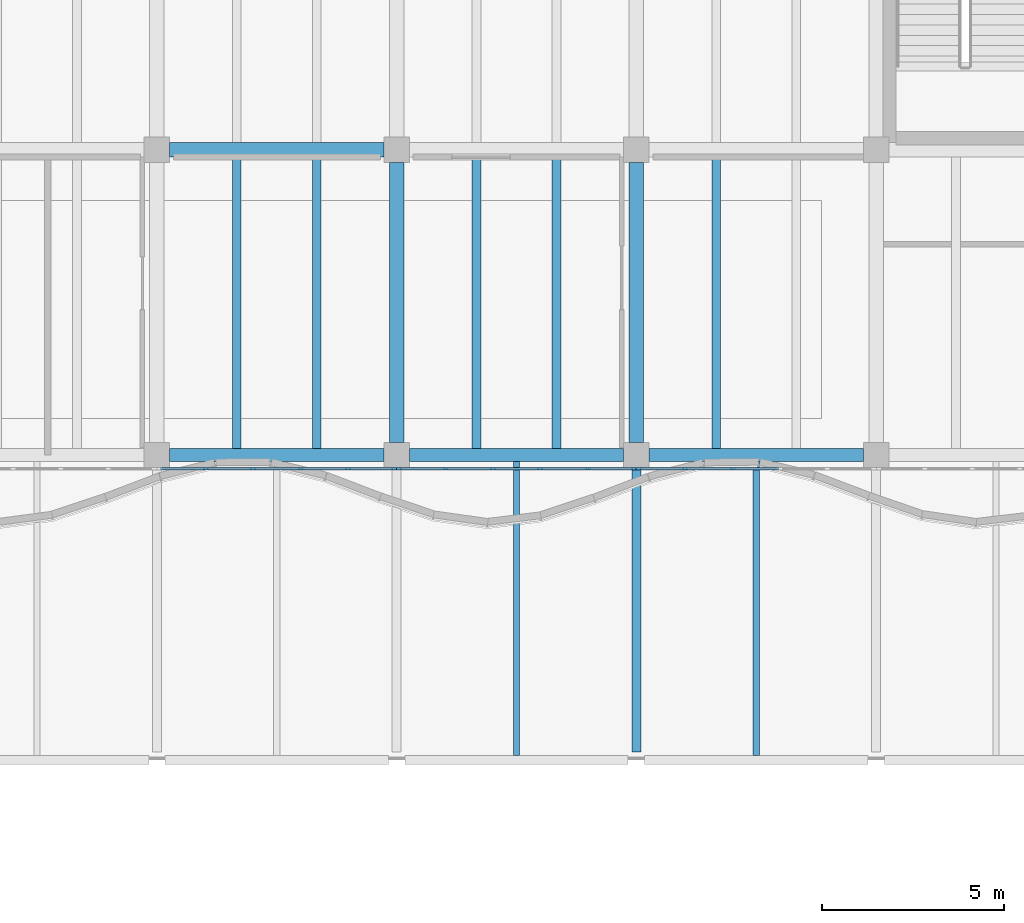
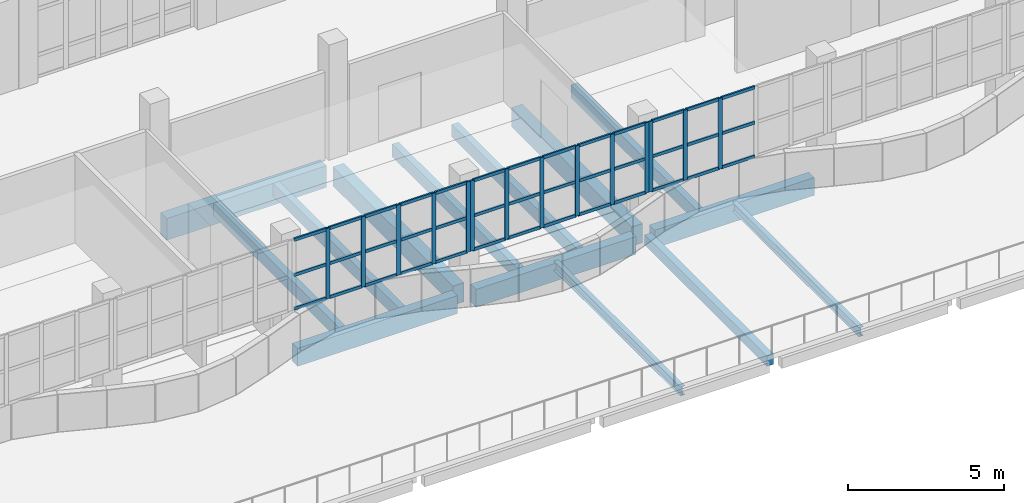
# One storey, part 14 of 83: 53 members, 14 beams, 3 elements without a shape of their own.
"""IFC4 building model written with IfcOpenShell, lengths in metres."""

from ifc_helpers import new_model, si_unit, direction, frame, origin, origin_2d, place, context, subcontext, project, spatial, rectangle, i_section, extrude, material, material_profile, profile_set, type_object, element, aggregate, save


model = new_model("IFC4")

# Units and contexts
model_context = context("Model", 3, precision=1e-05, world=origin(), true_north=direction((0.0, 1.0)))
body_context = subcontext(model_context, "Body", "Model", "MODEL_VIEW")
ifc_project = project(units=[si_unit("LENGTHUNIT", "METRE"), si_unit("AREAUNIT", "SQUARE_METRE"), si_unit("VOLUMEUNIT", "CUBIC_METRE"), si_unit("PLANEANGLEUNIT", "RADIAN"), si_unit("MASSUNIT", "GRAM", prefix="KILO")], contexts=[model_context])

# Site, building, storey
site_placement = place(None, origin())
site = spatial("IfcSite", under=ifc_project, at=site_placement, CompositionType="ELEMENT")
building_placement = place(site_placement, origin())
building = spatial("IfcBuilding", under=site, at=building_placement, Name="Qaldarim Faculty of Natural and Applied Sciences", CompositionType="ELEMENT")
storey_placement = place(building_placement, frame((0.0, 0.0, 5.39990234375)))
storey = spatial("IfcBuildingStorey", under=building, at=storey_placement, Name="L01", CompositionType="ELEMENT", Elevation=5.39990234375)

# Beams
ifc_material_1 = material(Name="Concrete C40/50", Category="concrete")
ifc_material_profile_1 = material_profile(ifc_material_1, rectangle(XDim=0.25, YDim=0.39990234375, at=origin_2d()), Name="RC-LN250x400")
ifc_profile_set_1 = profile_set([ifc_material_profile_1], Name="Concrete C40/50")
beam_type_1 = type_object("IfcBeamType", Name="ArcadeLintel-RC250x400", PredefinedType="LINTEL", material=ifc_profile_set_1)
beam_1_placement = place(storey_placement, frame((92.39990234375, 92.625, -0.39990234375), z_axis=(0.0, 1.0, 0.0), x_axis=(-1.0, 0.0, 0.0)))
element("IfcBeam", 1, at=beam_1_placement, inside=storey, type_object=beam_type_1, Name="Beam RC-LN250x400 L00 X15/Y12-Y13", PredefinedType="LINTEL", context=body_context, shape_type="SweptSolid", body=[
    extrude(rectangle(XDim=0.25, YDim=0.39990234375, at=origin_2d()), origin(), (0.0, 0.0, 1.0), 7.824951171875),
])
ifc_material_2 = material(Name="Structural steel S355", Category="steel")
ifc_material_profile_2 = material_profile(ifc_material_2, i_section(OverallWidth=0.169921875, OverallDepth=0.360107421875, WebThickness=0.008056640625, FlangeThickness=0.0126953125, at=origin_2d()), Name="IPE 360")
ifc_profile_set_2 = profile_set([ifc_material_profile_2], Name="Structural steel S355")
beam_type_2 = type_object("IfcBeamType", Name="CanopyBeam-IPE360", PredefinedType="BEAM", material=ifc_profile_set_2)
for number, where, z_axis, x_axis, name in (
    (2, (89.10009765625, 92.52490234375, -0.3798828125), (0.0, 1.0, 0.0), (-1.0, 0.0, 0.0), "Canopy steel beam IPE 360 bay X14"),
    (3, (95.699951171875, 92.52490234375, -0.3798828125), (0.0, 1.0, 0.0), (-1.0, 0.0, 0.0), "Canopy steel beam IPE 360 bay X15"),
):
    element("IfcBeam", number, at=place(storey_placement, frame(where, z_axis=z_axis, x_axis=x_axis)), inside=storey, type_object=beam_type_2, Name=name, PredefinedType="BEAM", context=body_context, shape_type="SweptSolid", body=[
        extrude(i_section(OverallWidth=0.169921875, OverallDepth=0.360107421875, WebThickness=0.008056640625, FlangeThickness=0.0126953125, at=origin_2d()), origin(), (0.0, 0.0, 1.0), 8.10009765625),
    ])
ifc_material_profile_3 = material_profile(ifc_material_1, rectangle(XDim=0.239990234375, YDim=0.5, at=origin_2d()), Name="RC-J240x500")
ifc_profile_set_3 = profile_set([ifc_material_profile_3], Name="Concrete C40/50")
beam_type_3 = type_object("IfcBeamType", Name="HeavyJoist-RC240x500", PredefinedType="JOIST", material=ifc_profile_set_3)
for number, where, z_axis, x_axis, name in (
    (4, (81.39990234375, 100.97509765625, -0.5498046875), (0.0, 1.0, 0.0), (-1.0, 0.0, 0.0), "Laboratory joist L00 bay X13Y13-1"),
    (5, (83.60009765625, 100.97509765625, -0.5498046875), (0.0, 1.0, 0.0), (-1.0, 0.0, 0.0), "Laboratory joist L00 bay X13Y13-2"),
    (6, (88.0, 100.97509765625, -0.5498046875), (0.0, 1.0, 0.0), (-1.0, 0.0, 0.0), "Laboratory joist L00 bay X14Y13-1"),
    (7, (90.199951171875, 100.97509765625, -0.5498046875), (0.0, 1.0, 0.0), (-1.0, 0.0, 0.0), "Laboratory joist L00 bay X14Y13-2"),
    (8, (94.60009765625, 100.97509765625, -0.5498046875), (0.0, 1.0, 0.0), (-1.0, 0.0, 0.0), "Laboratory joist L00 bay X15Y13-1"),
):
    element("IfcBeam", number, at=place(storey_placement, frame(where, z_axis=z_axis, x_axis=x_axis)), inside=storey, type_object=beam_type_3, Name=name, PredefinedType="JOIST", context=body_context, shape_type="SweptSolid", body=[
        extrude(rectangle(XDim=0.239990234375, YDim=0.5, at=origin_2d()), origin(), (0.0, 0.0, 1.0), 8.02490234375),
    ])
ifc_material_3 = material(Name="Concrete C50/60", Category="concrete")
ifc_material_profile_4 = material_profile(ifc_material_3, rectangle(XDim=0.39990234375, YDim=0.75, at=origin_2d()), Name="RC-B400x750")
ifc_profile_set_4 = profile_set([ifc_material_profile_4], Name="Concrete C50/60")
beam_type_4 = type_object("IfcBeamType", Name="LabGirder-RC400x750", PredefinedType="BEAM", material=ifc_profile_set_4)
for number, where, z_axis, x_axis, name in (
    (9, (85.800048828125, 101.14990234375, -0.6748046875), (0.0, 1.0, 0.0), (-1.0, 0.0, 0.0), "Beam RC-B400x750 L00 X14/Y13-Y14"),
    (10, (92.39990234375, 101.14990234375, -0.6748046875), (0.0, 1.0, 0.0), (-1.0, 0.0, 0.0), "Beam RC-B400x750 L00 X15/Y13-Y14"),
):
    element("IfcBeam", number, at=place(storey_placement, frame(where, z_axis=z_axis, x_axis=x_axis)), inside=storey, type_object=beam_type_4, Name=name, PredefinedType="BEAM", context=body_context, shape_type="SweptSolid", body=[
        extrude(rectangle(XDim=0.39990234375, YDim=0.75, at=origin_2d()), origin(), (0.0, 0.0, 1.0), 7.7001953125),
    ])

# Curtain wall, members
ifc_material_4 = material(Name="Anodised aluminium AW-6063", Category="aluminium")
curtain_wall_type = type_object("IfcCurtainWallType", Name="CurtainWallSystem-M1400", PredefinedType="USERDEFINED", material=ifc_material_4)
curtain_wall_1_placement = place(storey_placement, origin())
curtain_wall_1 = element("IfcCurtainWall", 11, at=curtain_wall_1_placement, inside=storey, type_object=curtain_wall_type, Name="Curtain wall CW-V4RIB-L01-X13", ObjectType="STICK CURTAIN WALL", PredefinedType="USERDEFINED")
ifc_material_profile_5 = material_profile(ifc_material_4, rectangle(XDim=0.06005859375, YDim=0.14990234375, at=origin_2d()), Name="ALU-M60x150")
ifc_profile_set_5 = profile_set([ifc_material_profile_5], Name="Anodised aluminium AW-6063")
member_type_1 = type_object("IfcMemberType", Name="Mullion-ALU60x150", PredefinedType="MULLION", material=ifc_profile_set_5)
member_1_placement = place(storey_placement, frame((80.5439453125, 100.419921875, 1.4501953125), z_axis=(0.0, 0.0, 1.0), x_axis=(0.0, 1.0, 0.0)))
member_1 = element("IfcMember", 12, at=member_1_placement, type_object=member_type_1, Name="Mullion 2 of CW-V4RIB-L01-X13", PredefinedType="MULLION", context=body_context, shape_type="SweptSolid", body=[
    extrude(rectangle(XDim=0.06005859375, YDim=0.14990234375, at=origin_2d()), origin(), (0.0, 0.0, 1.0), 2.75),
])
member_2_placement = place(storey_placement, frame((81.847900390625, 100.419921875, 1.4501953125), z_axis=(0.0, 0.0, 1.0), x_axis=(0.0, 1.0, 0.0)))
member_2 = element("IfcMember", 13, at=member_2_placement, type_object=member_type_1, Name="Mullion 3 of CW-V4RIB-L01-X13", PredefinedType="MULLION", context=body_context, shape_type="SweptSolid", body=[
    extrude(rectangle(XDim=0.06005859375, YDim=0.14990234375, at=origin_2d()), origin(), (0.0, 0.0, 1.0), 2.75),
])
member_3_placement = place(storey_placement, frame((83.152099609375, 100.419921875, 1.4501953125), z_axis=(0.0, 0.0, 1.0), x_axis=(0.0, 1.0, 0.0)))
member_3 = element("IfcMember", 14, at=member_3_placement, type_object=member_type_1, Name="Mullion 4 of CW-V4RIB-L01-X13", PredefinedType="MULLION", context=body_context, shape_type="SweptSolid", body=[
    extrude(rectangle(XDim=0.06005859375, YDim=0.14990234375, at=origin_2d()), origin(), (0.0, 0.0, 1.0), 2.75),
])
member_4_placement = place(storey_placement, frame((84.4560546875, 100.419921875, 1.4501953125), z_axis=(0.0, 0.0, 1.0), x_axis=(0.0, 1.0, 0.0)))
member_4 = element("IfcMember", 15, at=member_4_placement, type_object=member_type_1, Name="Mullion 5 of CW-V4RIB-L01-X13", PredefinedType="MULLION", context=body_context, shape_type="SweptSolid", body=[
    extrude(rectangle(XDim=0.06005859375, YDim=0.14990234375, at=origin_2d()), origin(), (0.0, 0.0, 1.0), 2.75),
])
member_5_placement = place(storey_placement, frame((85.72998046875, 100.419921875, 1.4501953125), z_axis=(0.0, 0.0, 1.0), x_axis=(0.0, 1.0, 0.0)))
member_5 = element("IfcMember", 16, at=member_5_placement, type_object=member_type_1, Name="Mullion 6 of CW-V4RIB-L01-X13", PredefinedType="MULLION", context=body_context, shape_type="SweptSolid", body=[
    extrude(rectangle(XDim=0.06005859375, YDim=0.14990234375, at=origin_2d()), origin(), (0.0, 0.0, 1.0), 2.75),
])

curtain_wall_2_placement = place(storey_placement, origin())
curtain_wall_2 = element("IfcCurtainWall", 17, at=curtain_wall_2_placement, inside=storey, type_object=curtain_wall_type, Name="Curtain wall CW-V4RIB-L01-X14", ObjectType="STICK CURTAIN WALL", PredefinedType="USERDEFINED")
member_6_placement = place(storey_placement, frame((85.8701171875, 100.419921875, 1.4501953125), z_axis=(0.0, 0.0, 1.0), x_axis=(0.0, 1.0, 0.0)))
member_6 = element("IfcMember", 18, at=member_6_placement, type_object=member_type_1, Name="Mullion 1 of CW-V4RIB-L01-X14", PredefinedType="MULLION", context=body_context, shape_type="SweptSolid", body=[
    extrude(rectangle(XDim=0.06005859375, YDim=0.14990234375, at=origin_2d()), origin(), (0.0, 0.0, 1.0), 2.75),
])
member_7_placement = place(storey_placement, frame((87.14404296875, 100.419921875, 1.4501953125), z_axis=(0.0, 0.0, 1.0), x_axis=(0.0, 1.0, 0.0)))
member_7 = element("IfcMember", 19, at=member_7_placement, type_object=member_type_1, Name="Mullion 2 of CW-V4RIB-L01-X14", PredefinedType="MULLION", context=body_context, shape_type="SweptSolid", body=[
    extrude(rectangle(XDim=0.06005859375, YDim=0.14990234375, at=origin_2d()), origin(), (0.0, 0.0, 1.0), 2.75),
])
member_8_placement = place(storey_placement, frame((88.447998046875, 100.419921875, 1.4501953125), z_axis=(0.0, 0.0, 1.0), x_axis=(0.0, 1.0, 0.0)))
member_8 = element("IfcMember", 20, at=member_8_placement, type_object=member_type_1, Name="Mullion 3 of CW-V4RIB-L01-X14", PredefinedType="MULLION", context=body_context, shape_type="SweptSolid", body=[
    extrude(rectangle(XDim=0.06005859375, YDim=0.14990234375, at=origin_2d()), origin(), (0.0, 0.0, 1.0), 2.75),
])
member_9_placement = place(storey_placement, frame((89.751953125, 100.419921875, 1.4501953125), z_axis=(0.0, 0.0, 1.0), x_axis=(0.0, 1.0, 0.0)))
member_9 = element("IfcMember", 21, at=member_9_placement, type_object=member_type_1, Name="Mullion 4 of CW-V4RIB-L01-X14", PredefinedType="MULLION", context=body_context, shape_type="SweptSolid", body=[
    extrude(rectangle(XDim=0.06005859375, YDim=0.14990234375, at=origin_2d()), origin(), (0.0, 0.0, 1.0), 2.75),
])
member_10_placement = place(storey_placement, frame((91.055908203125, 100.419921875, 1.4501953125), z_axis=(0.0, 0.0, 1.0), x_axis=(0.0, 1.0, 0.0)))
member_10 = element("IfcMember", 22, at=member_10_placement, type_object=member_type_1, Name="Mullion 5 of CW-V4RIB-L01-X14", PredefinedType="MULLION", context=body_context, shape_type="SweptSolid", body=[
    extrude(rectangle(XDim=0.06005859375, YDim=0.14990234375, at=origin_2d()), origin(), (0.0, 0.0, 1.0), 2.75),
])
member_11_placement = place(storey_placement, frame((92.330078125, 100.419921875, 1.4501953125), z_axis=(0.0, 0.0, 1.0), x_axis=(0.0, 1.0, 0.0)))
member_11 = element("IfcMember", 23, at=member_11_placement, type_object=member_type_1, Name="Mullion 6 of CW-V4RIB-L01-X14", PredefinedType="MULLION", context=body_context, shape_type="SweptSolid", body=[
    extrude(rectangle(XDim=0.06005859375, YDim=0.14990234375, at=origin_2d()), origin(), (0.0, 0.0, 1.0), 2.75),
])

curtain_wall_3_placement = place(storey_placement, origin())
curtain_wall_3 = element("IfcCurtainWall", 24, at=curtain_wall_3_placement, inside=storey, type_object=curtain_wall_type, Name="Curtain wall CW-V4RIB-L01-X15", ObjectType="STICK CURTAIN WALL", PredefinedType="USERDEFINED")
member_12_placement = place(storey_placement, frame((92.469970703125, 100.419921875, 1.4501953125), z_axis=(0.0, 0.0, 1.0), x_axis=(0.0, 1.0, 0.0)))
member_12 = element("IfcMember", 25, at=member_12_placement, type_object=member_type_1, Name="Mullion 1 of CW-V4RIB-L01-X15", PredefinedType="MULLION", context=body_context, shape_type="SweptSolid", body=[
    extrude(rectangle(XDim=0.06005859375, YDim=0.14990234375, at=origin_2d()), origin(), (0.0, 0.0, 1.0), 2.75),
])
member_13_placement = place(storey_placement, frame((93.743896484375, 100.419921875, 1.4501953125), z_axis=(0.0, 0.0, 1.0), x_axis=(0.0, 1.0, 0.0)))
member_13 = element("IfcMember", 26, at=member_13_placement, type_object=member_type_1, Name="Mullion 2 of CW-V4RIB-L01-X15", PredefinedType="MULLION", context=body_context, shape_type="SweptSolid", body=[
    extrude(rectangle(XDim=0.06005859375, YDim=0.14990234375, at=origin_2d()), origin(), (0.0, 0.0, 1.0), 2.75),
])
member_14_placement = place(storey_placement, frame((95.048095703125, 100.419921875, 1.4501953125), z_axis=(0.0, 0.0, 1.0), x_axis=(0.0, 1.0, 0.0)))
member_14 = element("IfcMember", 27, at=member_14_placement, type_object=member_type_1, Name="Mullion 3 of CW-V4RIB-L01-X15", PredefinedType="MULLION", context=body_context, shape_type="SweptSolid", body=[
    extrude(rectangle(XDim=0.06005859375, YDim=0.14990234375, at=origin_2d()), origin(), (0.0, 0.0, 1.0), 2.75),
])

# Beams
ifc_material_profile_6 = material_profile(ifc_material_3, rectangle(XDim=0.39990234375, YDim=0.85009765625, at=origin_2d()), Name="RC-B400x850")
ifc_profile_set_6 = profile_set([ifc_material_profile_6], Name="Concrete C50/60")
beam_type_5 = type_object("IfcBeamType", Name="PodiumGirder-RC400x850", PredefinedType="BEAM", material=ifc_profile_set_6)
beam_2_placement = place(storey_placement, frame((79.550048828125, 109.199951171875, -0.724853515625), z_axis=(1.0, 0.0, 0.0), x_axis=(0.0, 1.0, 0.0)))
element("IfcBeam", 28, at=beam_2_placement, inside=storey, type_object=beam_type_5, Name="Beam RC-B400x850 L00 X13-X14/Y14", PredefinedType="BEAM", context=body_context, shape_type="SweptSolid", body=[
    extrude(rectangle(XDim=0.39990234375, YDim=0.85009765625, at=origin_2d()), origin(), (0.0, 0.0, 1.0), 5.89990234375),
])
ifc_material_profile_7 = material_profile(ifc_material_1, rectangle(XDim=0.35009765625, YDim=0.699951171875, at=origin_2d()), Name="RC-B350x700")
ifc_profile_set_7 = profile_set([ifc_material_profile_7], Name="Concrete C40/50")
beam_type_6 = type_object("IfcBeamType", Name="PrimaryGirder-RC350x700", PredefinedType="BEAM", material=ifc_profile_set_7)
beam_3_placement = place(storey_placement, frame((79.550048828125, 100.800048828125, -0.64990234375), z_axis=(1.0, 0.0, 0.0), x_axis=(0.0, 1.0, 0.0)))
element("IfcBeam", 29, at=beam_3_placement, inside=storey, type_object=beam_type_6, Name="Beam RC-B350x700 L00 X13-X14/Y13", PredefinedType="BEAM", context=body_context, shape_type="SweptSolid", body=[
    extrude(rectangle(XDim=0.35009765625, YDim=0.699951171875, at=origin_2d()), origin(), (0.0, 0.0, 1.0), 5.89990234375),
])
beam_4_placement = place(storey_placement, frame((86.14990234375, 100.800048828125, -0.64990234375), z_axis=(1.0, 0.0, 0.0), x_axis=(0.0, 1.0, 0.0)))
element("IfcBeam", 30, at=beam_4_placement, inside=storey, type_object=beam_type_6, Name="Beam RC-B350x700 L00 X14-X15/Y13", PredefinedType="BEAM", context=body_context, shape_type="SweptSolid", body=[
    extrude(rectangle(XDim=0.35009765625, YDim=0.699951171875, at=origin_2d()), origin(), (0.0, 0.0, 1.0), 5.900146484375),
])
beam_5_placement = place(storey_placement, frame((92.75, 100.800048828125, -0.64990234375), z_axis=(1.0, 0.0, 0.0), x_axis=(0.0, 1.0, 0.0)))
element("IfcBeam", 31, at=beam_5_placement, inside=storey, type_object=beam_type_6, Name="Beam RC-B350x700 L00 X15-X16/Y13", PredefinedType="BEAM", context=body_context, shape_type="SweptSolid", body=[
    extrude(rectangle(XDim=0.35009765625, YDim=0.699951171875, at=origin_2d()), origin(), (0.0, 0.0, 1.0), 5.89990234375),
])

# Member
ifc_material_profile_8 = material_profile(ifc_material_4, rectangle(XDim=0.06005859375, YDim=0.1201171875, at=origin_2d()), Name="ALU-T60x120")
ifc_profile_set_8 = profile_set([ifc_material_profile_8], Name="Anodised aluminium AW-6063")
member_type_2 = type_object("IfcMemberType", Name="Transom-ALU60x120", PredefinedType="USERDEFINED", material=ifc_profile_set_8)
member_15_placement = place(storey_placement, frame((79.300048828125, 100.419921875, 1.47998046875), z_axis=(1.0, 0.0, 0.0), x_axis=(0.0, 1.0, 0.0)))
member_15 = element("IfcMember", 32, at=member_15_placement, type_object=member_type_2, Name="Transom 1-1 of CW-V4RIB-L01-X13", ObjectType="TRANSOM", PredefinedType="USERDEFINED", context=body_context, shape_type="SweptSolid", body=[
    extrude(rectangle(XDim=0.06005859375, YDim=0.1201171875, at=origin_2d()), origin(), (0.0, 0.0, 1.0), 1.2138671875),
])

member_16_placement = place(storey_placement, frame((79.300048828125, 100.419921875, 2.800048828125), z_axis=(1.0, 0.0, 0.0), x_axis=(0.0, 1.0, 0.0)))
member_16 = element("IfcMember", 33, at=member_16_placement, type_object=member_type_2, Name="Transom 1-2 of CW-V4RIB-L01-X13", ObjectType="TRANSOM", PredefinedType="USERDEFINED", context=body_context, shape_type="SweptSolid", body=[
    extrude(rectangle(XDim=0.06005859375, YDim=0.1201171875, at=origin_2d()), origin(), (0.0, 0.0, 1.0), 1.2138671875),
])

member_17_placement = place(storey_placement, frame((79.300048828125, 100.419921875, 4.170166015625), z_axis=(1.0, 0.0, 0.0), x_axis=(0.0, 1.0, 0.0)))
member_17 = element("IfcMember", 34, at=member_17_placement, type_object=member_type_2, Name="Transom 1-3 of CW-V4RIB-L01-X13", ObjectType="TRANSOM", PredefinedType="USERDEFINED", context=body_context, shape_type="SweptSolid", body=[
    extrude(rectangle(XDim=0.06005859375, YDim=0.1201171875, at=origin_2d()), origin(), (0.0, 0.0, 1.0), 1.2138671875),
])

member_18_placement = place(storey_placement, frame((80.573974609375, 100.419921875, 1.47998046875), z_axis=(1.0, 0.0, 0.0), x_axis=(0.0, 1.0, 0.0)))
member_18 = element("IfcMember", 35, at=member_18_placement, type_object=member_type_2, Name="Transom 2-1 of CW-V4RIB-L01-X13", ObjectType="TRANSOM", PredefinedType="USERDEFINED", context=body_context, shape_type="SweptSolid", body=[
    extrude(rectangle(XDim=0.06005859375, YDim=0.1201171875, at=origin_2d()), origin(), (0.0, 0.0, 1.0), 1.244140625),
])

member_19_placement = place(storey_placement, frame((80.573974609375, 100.419921875, 2.800048828125), z_axis=(1.0, 0.0, 0.0), x_axis=(0.0, 1.0, 0.0)))
member_19 = element("IfcMember", 36, at=member_19_placement, type_object=member_type_2, Name="Transom 2-2 of CW-V4RIB-L01-X13", ObjectType="TRANSOM", PredefinedType="USERDEFINED", context=body_context, shape_type="SweptSolid", body=[
    extrude(rectangle(XDim=0.06005859375, YDim=0.1201171875, at=origin_2d()), origin(), (0.0, 0.0, 1.0), 1.244140625),
])

member_20_placement = place(storey_placement, frame((80.573974609375, 100.419921875, 4.170166015625), z_axis=(1.0, 0.0, 0.0), x_axis=(0.0, 1.0, 0.0)))
member_20 = element("IfcMember", 37, at=member_20_placement, type_object=member_type_2, Name="Transom 2-3 of CW-V4RIB-L01-X13", ObjectType="TRANSOM", PredefinedType="USERDEFINED", context=body_context, shape_type="SweptSolid", body=[
    extrude(rectangle(XDim=0.06005859375, YDim=0.1201171875, at=origin_2d()), origin(), (0.0, 0.0, 1.0), 1.244140625),
])

member_21_placement = place(storey_placement, frame((81.8779296875, 100.419921875, 1.47998046875), z_axis=(1.0, 0.0, 0.0), x_axis=(0.0, 1.0, 0.0)))
member_21 = element("IfcMember", 38, at=member_21_placement, type_object=member_type_2, Name="Transom 3-1 of CW-V4RIB-L01-X13", ObjectType="TRANSOM", PredefinedType="USERDEFINED", context=body_context, shape_type="SweptSolid", body=[
    extrude(rectangle(XDim=0.06005859375, YDim=0.1201171875, at=origin_2d()), origin(), (0.0, 0.0, 1.0), 1.244140625),
])

member_22_placement = place(storey_placement, frame((81.8779296875, 100.419921875, 2.800048828125), z_axis=(1.0, 0.0, 0.0), x_axis=(0.0, 1.0, 0.0)))
member_22 = element("IfcMember", 39, at=member_22_placement, type_object=member_type_2, Name="Transom 3-2 of CW-V4RIB-L01-X13", ObjectType="TRANSOM", PredefinedType="USERDEFINED", context=body_context, shape_type="SweptSolid", body=[
    extrude(rectangle(XDim=0.06005859375, YDim=0.1201171875, at=origin_2d()), origin(), (0.0, 0.0, 1.0), 1.244140625),
])

member_23_placement = place(storey_placement, frame((81.8779296875, 100.419921875, 4.170166015625), z_axis=(1.0, 0.0, 0.0), x_axis=(0.0, 1.0, 0.0)))
member_23 = element("IfcMember", 40, at=member_23_placement, type_object=member_type_2, Name="Transom 3-3 of CW-V4RIB-L01-X13", ObjectType="TRANSOM", PredefinedType="USERDEFINED", context=body_context, shape_type="SweptSolid", body=[
    extrude(rectangle(XDim=0.06005859375, YDim=0.1201171875, at=origin_2d()), origin(), (0.0, 0.0, 1.0), 1.244140625),
])

member_24_placement = place(storey_placement, frame((83.181884765625, 100.419921875, 1.47998046875), z_axis=(1.0, 0.0, 0.0), x_axis=(0.0, 1.0, 0.0)))
member_24 = element("IfcMember", 41, at=member_24_placement, type_object=member_type_2, Name="Transom 4-1 of CW-V4RIB-L01-X13", ObjectType="TRANSOM", PredefinedType="USERDEFINED", context=body_context, shape_type="SweptSolid", body=[
    extrude(rectangle(XDim=0.06005859375, YDim=0.1201171875, at=origin_2d()), origin(), (0.0, 0.0, 1.0), 1.244140625),
])

member_25_placement = place(storey_placement, frame((83.181884765625, 100.419921875, 2.800048828125), z_axis=(1.0, 0.0, 0.0), x_axis=(0.0, 1.0, 0.0)))
member_25 = element("IfcMember", 42, at=member_25_placement, type_object=member_type_2, Name="Transom 4-2 of CW-V4RIB-L01-X13", ObjectType="TRANSOM", PredefinedType="USERDEFINED", context=body_context, shape_type="SweptSolid", body=[
    extrude(rectangle(XDim=0.06005859375, YDim=0.1201171875, at=origin_2d()), origin(), (0.0, 0.0, 1.0), 1.244140625),
])

member_26_placement = place(storey_placement, frame((83.181884765625, 100.419921875, 4.170166015625), z_axis=(1.0, 0.0, 0.0), x_axis=(0.0, 1.0, 0.0)))
member_26 = element("IfcMember", 43, at=member_26_placement, type_object=member_type_2, Name="Transom 4-3 of CW-V4RIB-L01-X13", ObjectType="TRANSOM", PredefinedType="USERDEFINED", context=body_context, shape_type="SweptSolid", body=[
    extrude(rectangle(XDim=0.06005859375, YDim=0.1201171875, at=origin_2d()), origin(), (0.0, 0.0, 1.0), 1.244140625),
])

member_27_placement = place(storey_placement, frame((84.486083984375, 100.419921875, 1.47998046875), z_axis=(1.0, 0.0, 0.0), x_axis=(0.0, 1.0, 0.0)))
member_27 = element("IfcMember", 44, at=member_27_placement, type_object=member_type_2, Name="Transom 5-1 of CW-V4RIB-L01-X13", ObjectType="TRANSOM", PredefinedType="USERDEFINED", context=body_context, shape_type="SweptSolid", body=[
    extrude(rectangle(XDim=0.06005859375, YDim=0.1201171875, at=origin_2d()), origin(), (0.0, 0.0, 1.0), 1.2138671875),
])

member_28_placement = place(storey_placement, frame((84.486083984375, 100.419921875, 2.800048828125), z_axis=(1.0, 0.0, 0.0), x_axis=(0.0, 1.0, 0.0)))
member_28 = element("IfcMember", 45, at=member_28_placement, type_object=member_type_2, Name="Transom 5-2 of CW-V4RIB-L01-X13", ObjectType="TRANSOM", PredefinedType="USERDEFINED", context=body_context, shape_type="SweptSolid", body=[
    extrude(rectangle(XDim=0.06005859375, YDim=0.1201171875, at=origin_2d()), origin(), (0.0, 0.0, 1.0), 1.2138671875),
])

member_29_placement = place(storey_placement, frame((84.486083984375, 100.419921875, 4.170166015625), z_axis=(1.0, 0.0, 0.0), x_axis=(0.0, 1.0, 0.0)))
member_29 = element("IfcMember", 46, at=member_29_placement, type_object=member_type_2, Name="Transom 5-3 of CW-V4RIB-L01-X13", ObjectType="TRANSOM", PredefinedType="USERDEFINED", context=body_context, shape_type="SweptSolid", body=[
    extrude(rectangle(XDim=0.06005859375, YDim=0.1201171875, at=origin_2d()), origin(), (0.0, 0.0, 1.0), 1.2138671875),
])

aggregate(curtain_wall_1, [member_1, member_2, member_3, member_4, member_5, member_15, member_16, member_17, member_18, member_19, member_20, member_21, member_22, member_23, member_24, member_25, member_26, member_27, member_28, member_29])

member_30_placement = place(storey_placement, frame((85.89990234375, 100.419921875, 1.47998046875), z_axis=(1.0, 0.0, 0.0), x_axis=(0.0, 1.0, 0.0)))
member_30 = element("IfcMember", 47, at=member_30_placement, type_object=member_type_2, Name="Transom 1-1 of CW-V4RIB-L01-X14", ObjectType="TRANSOM", PredefinedType="USERDEFINED", context=body_context, shape_type="SweptSolid", body=[
    extrude(rectangle(XDim=0.06005859375, YDim=0.1201171875, at=origin_2d()), origin(), (0.0, 0.0, 1.0), 1.214111328125),
])

member_31_placement = place(storey_placement, frame((85.89990234375, 100.419921875, 2.800048828125), z_axis=(1.0, 0.0, 0.0), x_axis=(0.0, 1.0, 0.0)))
member_31 = element("IfcMember", 48, at=member_31_placement, type_object=member_type_2, Name="Transom 1-2 of CW-V4RIB-L01-X14", ObjectType="TRANSOM", PredefinedType="USERDEFINED", context=body_context, shape_type="SweptSolid", body=[
    extrude(rectangle(XDim=0.06005859375, YDim=0.1201171875, at=origin_2d()), origin(), (0.0, 0.0, 1.0), 1.214111328125),
])

member_32_placement = place(storey_placement, frame((85.89990234375, 100.419921875, 4.170166015625), z_axis=(1.0, 0.0, 0.0), x_axis=(0.0, 1.0, 0.0)))
member_32 = element("IfcMember", 49, at=member_32_placement, type_object=member_type_2, Name="Transom 1-3 of CW-V4RIB-L01-X14", ObjectType="TRANSOM", PredefinedType="USERDEFINED", context=body_context, shape_type="SweptSolid", body=[
    extrude(rectangle(XDim=0.06005859375, YDim=0.1201171875, at=origin_2d()), origin(), (0.0, 0.0, 1.0), 1.214111328125),
])

member_33_placement = place(storey_placement, frame((87.174072265625, 100.419921875, 1.47998046875), z_axis=(1.0, 0.0, 0.0), x_axis=(0.0, 1.0, 0.0)))
member_33 = element("IfcMember", 50, at=member_33_placement, type_object=member_type_2, Name="Transom 2-1 of CW-V4RIB-L01-X14", ObjectType="TRANSOM", PredefinedType="USERDEFINED", context=body_context, shape_type="SweptSolid", body=[
    extrude(rectangle(XDim=0.06005859375, YDim=0.1201171875, at=origin_2d()), origin(), (0.0, 0.0, 1.0), 1.243896484375),
])

member_34_placement = place(storey_placement, frame((87.174072265625, 100.419921875, 2.800048828125), z_axis=(1.0, 0.0, 0.0), x_axis=(0.0, 1.0, 0.0)))
member_34 = element("IfcMember", 51, at=member_34_placement, type_object=member_type_2, Name="Transom 2-2 of CW-V4RIB-L01-X14", ObjectType="TRANSOM", PredefinedType="USERDEFINED", context=body_context, shape_type="SweptSolid", body=[
    extrude(rectangle(XDim=0.06005859375, YDim=0.1201171875, at=origin_2d()), origin(), (0.0, 0.0, 1.0), 1.243896484375),
])

member_35_placement = place(storey_placement, frame((87.174072265625, 100.419921875, 4.170166015625), z_axis=(1.0, 0.0, 0.0), x_axis=(0.0, 1.0, 0.0)))
member_35 = element("IfcMember", 52, at=member_35_placement, type_object=member_type_2, Name="Transom 2-3 of CW-V4RIB-L01-X14", ObjectType="TRANSOM", PredefinedType="USERDEFINED", context=body_context, shape_type="SweptSolid", body=[
    extrude(rectangle(XDim=0.06005859375, YDim=0.1201171875, at=origin_2d()), origin(), (0.0, 0.0, 1.0), 1.243896484375),
])

member_36_placement = place(storey_placement, frame((88.47802734375, 100.419921875, 1.47998046875), z_axis=(1.0, 0.0, 0.0), x_axis=(0.0, 1.0, 0.0)))
member_36 = element("IfcMember", 53, at=member_36_placement, type_object=member_type_2, Name="Transom 3-1 of CW-V4RIB-L01-X14", ObjectType="TRANSOM", PredefinedType="USERDEFINED", context=body_context, shape_type="SweptSolid", body=[
    extrude(rectangle(XDim=0.06005859375, YDim=0.1201171875, at=origin_2d()), origin(), (0.0, 0.0, 1.0), 1.243896484375),
])

member_37_placement = place(storey_placement, frame((88.47802734375, 100.419921875, 2.800048828125), z_axis=(1.0, 0.0, 0.0), x_axis=(0.0, 1.0, 0.0)))
member_37 = element("IfcMember", 54, at=member_37_placement, type_object=member_type_2, Name="Transom 3-2 of CW-V4RIB-L01-X14", ObjectType="TRANSOM", PredefinedType="USERDEFINED", context=body_context, shape_type="SweptSolid", body=[
    extrude(rectangle(XDim=0.06005859375, YDim=0.1201171875, at=origin_2d()), origin(), (0.0, 0.0, 1.0), 1.243896484375),
])

member_38_placement = place(storey_placement, frame((88.47802734375, 100.419921875, 4.170166015625), z_axis=(1.0, 0.0, 0.0), x_axis=(0.0, 1.0, 0.0)))
member_38 = element("IfcMember", 55, at=member_38_placement, type_object=member_type_2, Name="Transom 3-3 of CW-V4RIB-L01-X14", ObjectType="TRANSOM", PredefinedType="USERDEFINED", context=body_context, shape_type="SweptSolid", body=[
    extrude(rectangle(XDim=0.06005859375, YDim=0.1201171875, at=origin_2d()), origin(), (0.0, 0.0, 1.0), 1.243896484375),
])

member_39_placement = place(storey_placement, frame((89.781982421875, 100.419921875, 1.47998046875), z_axis=(1.0, 0.0, 0.0), x_axis=(0.0, 1.0, 0.0)))
member_39 = element("IfcMember", 56, at=member_39_placement, type_object=member_type_2, Name="Transom 4-1 of CW-V4RIB-L01-X14", ObjectType="TRANSOM", PredefinedType="USERDEFINED", context=body_context, shape_type="SweptSolid", body=[
    extrude(rectangle(XDim=0.06005859375, YDim=0.1201171875, at=origin_2d()), origin(), (0.0, 0.0, 1.0), 1.243896484375),
])

member_40_placement = place(storey_placement, frame((89.781982421875, 100.419921875, 2.800048828125), z_axis=(1.0, 0.0, 0.0), x_axis=(0.0, 1.0, 0.0)))
member_40 = element("IfcMember", 57, at=member_40_placement, type_object=member_type_2, Name="Transom 4-2 of CW-V4RIB-L01-X14", ObjectType="TRANSOM", PredefinedType="USERDEFINED", context=body_context, shape_type="SweptSolid", body=[
    extrude(rectangle(XDim=0.06005859375, YDim=0.1201171875, at=origin_2d()), origin(), (0.0, 0.0, 1.0), 1.243896484375),
])

member_41_placement = place(storey_placement, frame((89.781982421875, 100.419921875, 4.170166015625), z_axis=(1.0, 0.0, 0.0), x_axis=(0.0, 1.0, 0.0)))
member_41 = element("IfcMember", 58, at=member_41_placement, type_object=member_type_2, Name="Transom 4-3 of CW-V4RIB-L01-X14", ObjectType="TRANSOM", PredefinedType="USERDEFINED", context=body_context, shape_type="SweptSolid", body=[
    extrude(rectangle(XDim=0.06005859375, YDim=0.1201171875, at=origin_2d()), origin(), (0.0, 0.0, 1.0), 1.243896484375),
])

member_42_placement = place(storey_placement, frame((91.0859375, 100.419921875, 1.47998046875), z_axis=(1.0, 0.0, 0.0), x_axis=(0.0, 1.0, 0.0)))
member_42 = element("IfcMember", 59, at=member_42_placement, type_object=member_type_2, Name="Transom 5-1 of CW-V4RIB-L01-X14", ObjectType="TRANSOM", PredefinedType="USERDEFINED", context=body_context, shape_type="SweptSolid", body=[
    extrude(rectangle(XDim=0.06005859375, YDim=0.1201171875, at=origin_2d()), origin(), (0.0, 0.0, 1.0), 1.214111328125),
])

member_43_placement = place(storey_placement, frame((91.0859375, 100.419921875, 2.800048828125), z_axis=(1.0, 0.0, 0.0), x_axis=(0.0, 1.0, 0.0)))
member_43 = element("IfcMember", 60, at=member_43_placement, type_object=member_type_2, Name="Transom 5-2 of CW-V4RIB-L01-X14", ObjectType="TRANSOM", PredefinedType="USERDEFINED", context=body_context, shape_type="SweptSolid", body=[
    extrude(rectangle(XDim=0.06005859375, YDim=0.1201171875, at=origin_2d()), origin(), (0.0, 0.0, 1.0), 1.214111328125),
])

member_44_placement = place(storey_placement, frame((91.0859375, 100.419921875, 4.170166015625), z_axis=(1.0, 0.0, 0.0), x_axis=(0.0, 1.0, 0.0)))
member_44 = element("IfcMember", 61, at=member_44_placement, type_object=member_type_2, Name="Transom 5-3 of CW-V4RIB-L01-X14", ObjectType="TRANSOM", PredefinedType="USERDEFINED", context=body_context, shape_type="SweptSolid", body=[
    extrude(rectangle(XDim=0.06005859375, YDim=0.1201171875, at=origin_2d()), origin(), (0.0, 0.0, 1.0), 1.214111328125),
])

aggregate(curtain_wall_2, [member_6, member_7, member_8, member_9, member_10, member_11, member_30, member_31, member_32, member_33, member_34, member_35, member_36, member_37, member_38, member_39, member_40, member_41, member_42, member_43, member_44])

member_45_placement = place(storey_placement, frame((92.5, 100.419921875, 1.47998046875), z_axis=(1.0, 0.0, 0.0), x_axis=(0.0, 1.0, 0.0)))
member_45 = element("IfcMember", 62, at=member_45_placement, type_object=member_type_2, Name="Transom 1-1 of CW-V4RIB-L01-X15", ObjectType="TRANSOM", PredefinedType="USERDEFINED", context=body_context, shape_type="SweptSolid", body=[
    extrude(rectangle(XDim=0.06005859375, YDim=0.1201171875, at=origin_2d()), origin(), (0.0, 0.0, 1.0), 1.214111328125),
])

member_46_placement = place(storey_placement, frame((92.5, 100.419921875, 2.800048828125), z_axis=(1.0, 0.0, 0.0), x_axis=(0.0, 1.0, 0.0)))
member_46 = element("IfcMember", 63, at=member_46_placement, type_object=member_type_2, Name="Transom 1-2 of CW-V4RIB-L01-X15", ObjectType="TRANSOM", PredefinedType="USERDEFINED", context=body_context, shape_type="SweptSolid", body=[
    extrude(rectangle(XDim=0.06005859375, YDim=0.1201171875, at=origin_2d()), origin(), (0.0, 0.0, 1.0), 1.214111328125),
])

member_47_placement = place(storey_placement, frame((92.5, 100.419921875, 4.170166015625), z_axis=(1.0, 0.0, 0.0), x_axis=(0.0, 1.0, 0.0)))
member_47 = element("IfcMember", 64, at=member_47_placement, type_object=member_type_2, Name="Transom 1-3 of CW-V4RIB-L01-X15", ObjectType="TRANSOM", PredefinedType="USERDEFINED", context=body_context, shape_type="SweptSolid", body=[
    extrude(rectangle(XDim=0.06005859375, YDim=0.1201171875, at=origin_2d()), origin(), (0.0, 0.0, 1.0), 1.214111328125),
])

member_48_placement = place(storey_placement, frame((93.77392578125, 100.419921875, 1.47998046875), z_axis=(1.0, 0.0, 0.0), x_axis=(0.0, 1.0, 0.0)))
member_48 = element("IfcMember", 65, at=member_48_placement, type_object=member_type_2, Name="Transom 2-1 of CW-V4RIB-L01-X15", ObjectType="TRANSOM", PredefinedType="USERDEFINED", context=body_context, shape_type="SweptSolid", body=[
    extrude(rectangle(XDim=0.06005859375, YDim=0.1201171875, at=origin_2d()), origin(), (0.0, 0.0, 1.0), 1.244140625),
])

member_49_placement = place(storey_placement, frame((93.77392578125, 100.419921875, 2.800048828125), z_axis=(1.0, 0.0, 0.0), x_axis=(0.0, 1.0, 0.0)))
member_49 = element("IfcMember", 66, at=member_49_placement, type_object=member_type_2, Name="Transom 2-2 of CW-V4RIB-L01-X15", ObjectType="TRANSOM", PredefinedType="USERDEFINED", context=body_context, shape_type="SweptSolid", body=[
    extrude(rectangle(XDim=0.06005859375, YDim=0.1201171875, at=origin_2d()), origin(), (0.0, 0.0, 1.0), 1.244140625),
])

member_50_placement = place(storey_placement, frame((93.77392578125, 100.419921875, 4.170166015625), z_axis=(1.0, 0.0, 0.0), x_axis=(0.0, 1.0, 0.0)))
member_50 = element("IfcMember", 67, at=member_50_placement, type_object=member_type_2, Name="Transom 2-3 of CW-V4RIB-L01-X15", ObjectType="TRANSOM", PredefinedType="USERDEFINED", context=body_context, shape_type="SweptSolid", body=[
    extrude(rectangle(XDim=0.06005859375, YDim=0.1201171875, at=origin_2d()), origin(), (0.0, 0.0, 1.0), 1.244140625),
])

member_51_placement = place(storey_placement, frame((95.077880859375, 100.419921875, 1.47998046875), z_axis=(1.0, 0.0, 0.0), x_axis=(0.0, 1.0, 0.0)))
member_51 = element("IfcMember", 68, at=member_51_placement, type_object=member_type_2, Name="Transom 3-1 of CW-V4RIB-L01-X15", ObjectType="TRANSOM", PredefinedType="USERDEFINED", context=body_context, shape_type="SweptSolid", body=[
    extrude(rectangle(XDim=0.06005859375, YDim=0.1201171875, at=origin_2d()), origin(), (0.0, 0.0, 1.0), 1.244140625),
])

member_52_placement = place(storey_placement, frame((95.077880859375, 100.419921875, 2.800048828125), z_axis=(1.0, 0.0, 0.0), x_axis=(0.0, 1.0, 0.0)))
member_52 = element("IfcMember", 69, at=member_52_placement, type_object=member_type_2, Name="Transom 3-2 of CW-V4RIB-L01-X15", ObjectType="TRANSOM", PredefinedType="USERDEFINED", context=body_context, shape_type="SweptSolid", body=[
    extrude(rectangle(XDim=0.06005859375, YDim=0.1201171875, at=origin_2d()), origin(), (0.0, 0.0, 1.0), 1.244140625),
])

member_53_placement = place(storey_placement, frame((95.077880859375, 100.419921875, 4.170166015625), z_axis=(1.0, 0.0, 0.0), x_axis=(0.0, 1.0, 0.0)))
member_53 = element("IfcMember", 70, at=member_53_placement, type_object=member_type_2, Name="Transom 3-3 of CW-V4RIB-L01-X15", ObjectType="TRANSOM", PredefinedType="USERDEFINED", context=body_context, shape_type="SweptSolid", body=[
    extrude(rectangle(XDim=0.06005859375, YDim=0.1201171875, at=origin_2d()), origin(), (0.0, 0.0, 1.0), 1.244140625),
])

aggregate(curtain_wall_3, [member_12, member_13, member_14, member_45, member_46, member_47, member_48, member_49, member_50, member_51, member_52, member_53])

save(model, "model.ifc")
